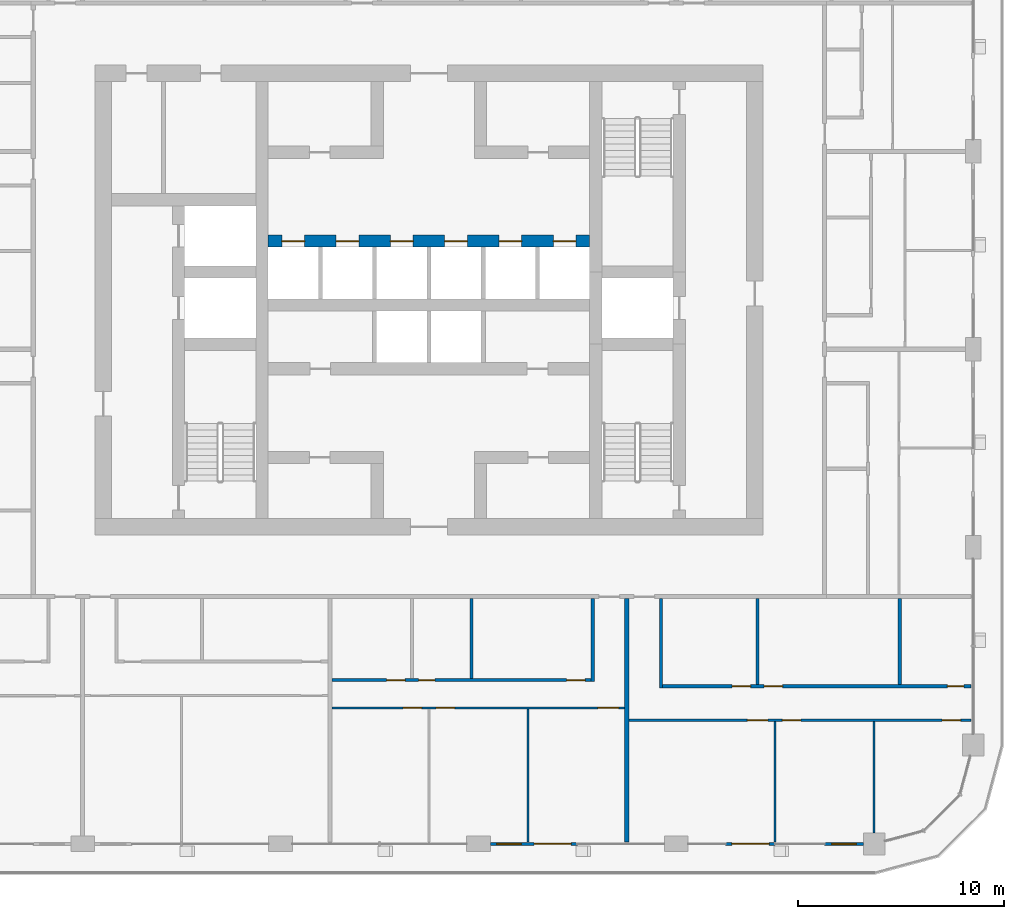
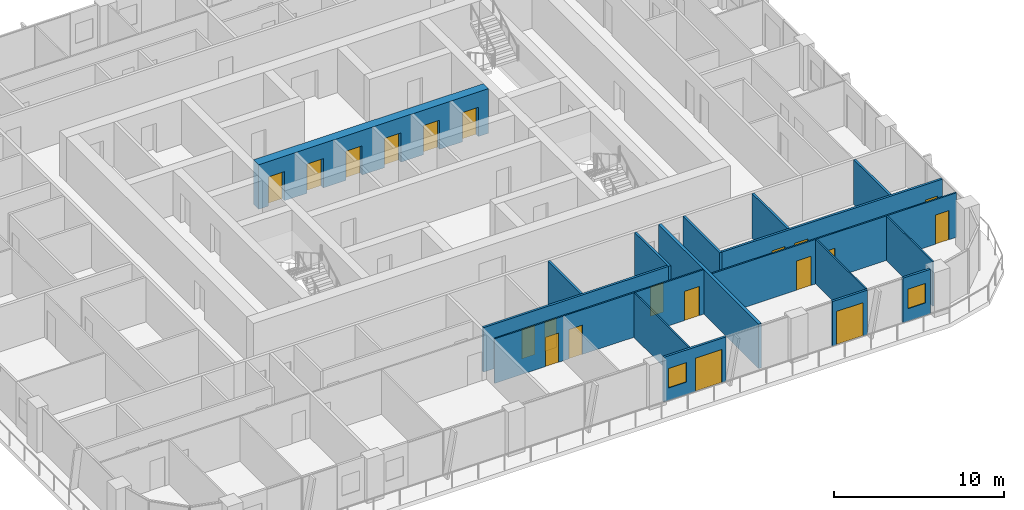
# One storey, part 11 of 22: 20 doors, 17 walls, 2 windows, 22 openings.
"""IFC4 building model written with IfcOpenShell, lengths in metres."""

from ifc_helpers import new_model, si_unit, direction, frame, frame_2d, origin, place, context, subcontext, project, spatial, rectangle, extrude, material, layer, layer_set, type_object, element, fill, save


model = new_model("IFC4")

# Units and contexts
model_context = context("Model", 3, precision=1e-05, world=origin(), true_north=direction((0.0, 1.0)))
body_context = subcontext(model_context, "Body", "Model", "MODEL_VIEW")
ifc_project = project(units=[si_unit("LENGTHUNIT", "METRE"), si_unit("AREAUNIT", "SQUARE_METRE"), si_unit("VOLUMEUNIT", "CUBIC_METRE"), si_unit("PLANEANGLEUNIT", "RADIAN"), si_unit("MASSUNIT", "GRAM", prefix="KILO")], contexts=[model_context])

# Site, building, storey
site_placement = place(None, origin())
site = spatial("IfcSite", under=ifc_project, at=site_placement, CompositionType="ELEMENT")
building_placement = place(site_placement, origin())
building = spatial("IfcBuilding", under=site, at=building_placement, Name="Madar Terraces", CompositionType="ELEMENT")
storey_placement = place(building_placement, frame((0.0, 0.0, 152.5)))
storey = spatial("IfcBuildingStorey", under=building, at=storey_placement, Name="L39", CompositionType="ELEMENT", Elevation=152.5)

# Wall, openings, doors
ifc_material_1 = material(Name="Concrete C70/85", Category="concrete")
ifc_layer_1 = layer(ifc_material_1, 0.60009765625)
ifc_layer_set_1 = layer_set([ifc_layer_1], Name="Concrete C70/85 (CIW3 RC wall 600)")
wall_type_1 = type_object("IfcWallType", Name="CIW3 RC wall 600", PredefinedType="SHEAR", material=ifc_layer_set_1)
wall_1_placement = place(storey_placement, frame((23.39990234375, 29.25, 0.0), z_axis=(0.0, 0.0, 1.0), x_axis=(1.0, 0.0, 0.0)))
wall_1 = element("IfcWall", 1, at=wall_1_placement, inside=storey, type_object=wall_type_1, Name="CORE SHAFT WALL", PredefinedType="SHEAR", context=body_context, shape_type="SweptSolid", body=[
    extrude(rectangle(XDim=15.60009765625, YDim=0.60009765625, at=frame_2d((7.800048828125, 0.0))), origin(), (0.0, 0.0, 1.0), 3.199951171875),
])
opening_1_placement = place(wall_1_placement, frame((0.666748046875, 0.0, 0.0)))
opening_1 = element("IfcOpeningElement", 2, at=opening_1_placement, cuts=wall_1, Name="Opening LD", PredefinedType="OPENING", context=body_context, shape_type="SweptSolid", body=[
    extrude(rectangle(XDim=1.10009765625, YDim=2.10009765625, at=frame_2d((0.550048828125, 1.050048828125))), frame((0.0, 0.31005859375, 0.0), z_axis=(0.0, -1.0, 0.0), x_axis=(1.0, 0.0, 0.0)), (0.0, 0.0, 1.0), 0.6201171875),
])
opening_2_placement = place(wall_1_placement, frame((3.300048828125, 0.0, 0.0)))
opening_2 = element("IfcOpeningElement", 3, at=opening_2_placement, cuts=wall_1, Name="Opening LD", PredefinedType="OPENING", context=body_context, shape_type="SweptSolid", body=[
    extrude(rectangle(XDim=1.10009765625, YDim=2.10009765625, at=frame_2d((0.550048828125, 1.050048828125))), frame((0.0, 0.31005859375, 0.0), z_axis=(0.0, -1.0, 0.0), x_axis=(1.0, 0.0, 0.0)), (0.0, 0.0, 1.0), 0.6201171875),
])
opening_3_placement = place(wall_1_placement, frame((5.933349609375, 0.0, 0.0)))
opening_3 = element("IfcOpeningElement", 4, at=opening_3_placement, cuts=wall_1, Name="Opening LD", PredefinedType="OPENING", context=body_context, shape_type="SweptSolid", body=[
    extrude(rectangle(XDim=1.10009765625, YDim=2.10009765625, at=frame_2d((0.550048828125, 1.050048828125))), frame((0.0, 0.31005859375, 0.0), z_axis=(0.0, -1.0, 0.0), x_axis=(1.0, 0.0, 0.0)), (0.0, 0.0, 1.0), 0.6201171875),
])
opening_4_placement = place(wall_1_placement, frame((8.566650390625, 0.0, 0.0)))
opening_4 = element("IfcOpeningElement", 5, at=opening_4_placement, cuts=wall_1, Name="Opening LD", PredefinedType="OPENING", context=body_context, shape_type="SweptSolid", body=[
    extrude(rectangle(XDim=1.10009765625, YDim=2.10009765625, at=frame_2d((0.550048828125, 1.050048828125))), frame((0.0, 0.31005859375, 0.0), z_axis=(0.0, -1.0, 0.0), x_axis=(1.0, 0.0, 0.0)), (0.0, 0.0, 1.0), 0.6201171875),
])
opening_5_placement = place(wall_1_placement, frame((11.199951171875, 0.0, 0.0)))
opening_5 = element("IfcOpeningElement", 6, at=opening_5_placement, cuts=wall_1, Name="Opening LD", PredefinedType="OPENING", context=body_context, shape_type="SweptSolid", body=[
    extrude(rectangle(XDim=1.10009765625, YDim=2.10009765625, at=frame_2d((0.550048828125, 1.050048828125))), frame((0.0, 0.31005859375, 0.0), z_axis=(0.0, -1.0, 0.0), x_axis=(1.0, 0.0, 0.0)), (0.0, 0.0, 1.0), 0.6201171875),
])
opening_6_placement = place(wall_1_placement, frame((13.833251953125, 0.0, 0.0)))
opening_6 = element("IfcOpeningElement", 7, at=opening_6_placement, cuts=wall_1, Name="Opening LD", PredefinedType="OPENING", context=body_context, shape_type="SweptSolid", body=[
    extrude(rectangle(XDim=1.10009765625, YDim=2.10009765625, at=frame_2d((0.550048828125, 1.050048828125))), frame((0.0, 0.31005859375, 0.0), z_axis=(0.0, -1.0, 0.0), x_axis=(1.0, 0.0, 0.0)), (0.0, 0.0, 1.0), 0.6201171875),
])
ifc_material_2 = material(Name="Stainless steel panel", Category="steel")
door_type_1 = type_object("IfcDoorType", Name="Lift landing door 1100 x 2100", OperationType="DOUBLE_DOOR_SLIDING", PredefinedType="DOOR", material=ifc_material_2)
door_1_placement = place(opening_1_placement, origin())
door_1 = element("IfcDoor", 8, at=door_1_placement, inside=storey, type_object=door_type_1, Name="LIFT LANDING DOOR", OperationType="DOUBLE_DOOR_SLIDING", OverallHeight=2.10009765625, OverallWidth=1.10009765625, PredefinedType="DOOR", context=body_context, shape_type="SweptSolid", body=[
    extrude(rectangle(XDim=1.10009765625, YDim=2.10009765625, at=frame_2d((0.550048828125, 1.050048828125))), frame((0.0, 0.02490234375, 0.0), z_axis=(0.0, -1.0, 0.0), x_axis=(1.0, 0.0, 0.0)), (0.0, 0.0, 1.0), 0.050048828125),
])
fill(opening_1, door_1)
door_2_placement = place(opening_2_placement, origin())
door_2 = element("IfcDoor", 9, at=door_2_placement, inside=storey, type_object=door_type_1, Name="LIFT LANDING DOOR", OperationType="DOUBLE_DOOR_SLIDING", OverallHeight=2.10009765625, OverallWidth=1.10009765625, PredefinedType="DOOR", context=body_context, shape_type="SweptSolid", body=[
    extrude(rectangle(XDim=1.10009765625, YDim=2.10009765625, at=frame_2d((0.550048828125, 1.050048828125))), frame((0.0, 0.02490234375, 0.0), z_axis=(0.0, -1.0, 0.0), x_axis=(1.0, 0.0, 0.0)), (0.0, 0.0, 1.0), 0.050048828125),
])
fill(opening_2, door_2)
door_3_placement = place(opening_3_placement, origin())
door_3 = element("IfcDoor", 10, at=door_3_placement, inside=storey, type_object=door_type_1, Name="LIFT LANDING DOOR", OperationType="DOUBLE_DOOR_SLIDING", OverallHeight=2.10009765625, OverallWidth=1.10009765625, PredefinedType="DOOR", context=body_context, shape_type="SweptSolid", body=[
    extrude(rectangle(XDim=1.10009765625, YDim=2.10009765625, at=frame_2d((0.550048828125, 1.050048828125))), frame((0.0, 0.02490234375, 0.0), z_axis=(0.0, -1.0, 0.0), x_axis=(1.0, 0.0, 0.0)), (0.0, 0.0, 1.0), 0.050048828125),
])
fill(opening_3, door_3)
door_4_placement = place(opening_4_placement, origin())
door_4 = element("IfcDoor", 11, at=door_4_placement, inside=storey, type_object=door_type_1, Name="LIFT LANDING DOOR", OperationType="DOUBLE_DOOR_SLIDING", OverallHeight=2.10009765625, OverallWidth=1.10009765625, PredefinedType="DOOR", context=body_context, shape_type="SweptSolid", body=[
    extrude(rectangle(XDim=1.10009765625, YDim=2.10009765625, at=frame_2d((0.550048828125, 1.050048828125))), frame((0.0, 0.02490234375, 0.0), z_axis=(0.0, -1.0, 0.0), x_axis=(1.0, 0.0, 0.0)), (0.0, 0.0, 1.0), 0.050048828125),
])
fill(opening_4, door_4)
door_5_placement = place(opening_5_placement, origin())
door_5 = element("IfcDoor", 12, at=door_5_placement, inside=storey, type_object=door_type_1, Name="LIFT LANDING DOOR", OperationType="DOUBLE_DOOR_SLIDING", OverallHeight=2.10009765625, OverallWidth=1.10009765625, PredefinedType="DOOR", context=body_context, shape_type="SweptSolid", body=[
    extrude(rectangle(XDim=1.10009765625, YDim=2.10009765625, at=frame_2d((0.550048828125, 1.050048828125))), frame((0.0, 0.02490234375, 0.0), z_axis=(0.0, -1.0, 0.0), x_axis=(1.0, 0.0, 0.0)), (0.0, 0.0, 1.0), 0.050048828125),
])
fill(opening_5, door_5)
door_6_placement = place(opening_6_placement, origin())
door_6 = element("IfcDoor", 13, at=door_6_placement, inside=storey, type_object=door_type_1, Name="LIFT LANDING DOOR", OperationType="DOUBLE_DOOR_SLIDING", OverallHeight=2.10009765625, OverallWidth=1.10009765625, PredefinedType="DOOR", context=body_context, shape_type="SweptSolid", body=[
    extrude(rectangle(XDim=1.10009765625, YDim=2.10009765625, at=frame_2d((0.550048828125, 1.050048828125))), frame((0.0, 0.02490234375, 0.0), z_axis=(0.0, -1.0, 0.0), x_axis=(1.0, 0.0, 0.0)), (0.0, 0.0, 1.0), 0.050048828125),
])
fill(opening_6, door_6)

# Wall, openings, door, window
ifc_material_3 = material(Name="Aluminium composite panel, black, over insulated backing", Category="aluminium")
ifc_layer_2 = layer(ifc_material_3, 0.14990234375)
ifc_layer_set_2 = layer_set([ifc_layer_2], Name="Facade bay panel 150")
wall_type_2 = type_object("IfcWallType", Name="Facade bay panel 150", PredefinedType="SOLIDWALL", material=ifc_layer_set_2)
wall_2_placement = place(storey_placement, frame((34.175048828125, 0.0, 0.0), z_axis=(0.0, 0.0, 1.0), x_axis=(1.0, 0.0, 0.0)))
wall_2 = element("IfcWall", 14, at=wall_2_placement, inside=storey, type_object=wall_type_2, Name="Facade bay panel", PredefinedType="SOLIDWALL", context=body_context, shape_type="SweptSolid", body=[
    extrude(rectangle(XDim=4.224853515625, YDim=0.14990234375, at=frame_2d((2.1123046875, 0.0))), origin(), (0.0, 0.0, 1.0), 3.199951171875),
])
opening_7_placement = place(wall_2_placement, frame((0.3125, 0.0, 0.89990234375)))
opening_7 = element("IfcOpeningElement", 15, at=opening_7_placement, cuts=wall_2, Name="Opening W1", PredefinedType="OPENING", context=body_context, shape_type="SweptSolid", body=[
    extrude(rectangle(XDim=1.199951171875, YDim=1.39990234375, at=frame_2d((0.60009765625, 0.699951171875))), frame((0.0, 0.0849609375, 0.0), z_axis=(0.0, -1.0, 0.0), x_axis=(1.0, 0.0, 0.0)), (0.0, 0.0, 1.0), 0.169921875),
])
opening_8_placement = place(wall_2_placement, frame((2.125, 0.0, 0.0)))
opening_8 = element("IfcOpeningElement", 16, at=opening_8_placement, cuts=wall_2, Name="Opening ED1", PredefinedType="OPENING", context=body_context, shape_type="SweptSolid", body=[
    extrude(rectangle(XDim=1.800048828125, YDim=2.39990234375, at=frame_2d((0.89990234375, 1.199951171875))), frame((0.0, 0.0849609375, 0.0), z_axis=(0.0, -1.0, 0.0), x_axis=(1.0, 0.0, 0.0)), (0.0, 0.0, 1.0), 0.169921875),
])
ifc_material_4 = material(Name="Glass, clear, with black aluminium frame", Category="aluminium")
door_type_2 = type_object("IfcDoorType", Name="Balcony and terrace sliding door 1800 x 2400", OperationType="SLIDING_TO_LEFT", PredefinedType="DOOR", material=ifc_material_4)
door_7_placement = place(opening_8_placement, origin())
door_7 = element("IfcDoor", 17, at=door_7_placement, inside=storey, type_object=door_type_2, Name="Balcony door", OperationType="SLIDING_TO_LEFT", OverallHeight=2.39990234375, OverallWidth=1.800048828125, PredefinedType="DOOR", context=body_context, shape_type="SweptSolid", body=[
    extrude(rectangle(XDim=1.800048828125, YDim=2.39990234375, at=frame_2d((0.89990234375, 1.199951171875))), frame((0.0, 0.02490234375, 0.0), z_axis=(0.0, -1.0, 0.0), x_axis=(1.0, 0.0, 0.0)), (0.0, 0.0, 1.0), 0.050048828125),
])
fill(opening_8, door_7)
ifc_material_5 = material(Name="Glass, clear, with black aluminium frame", Category="aluminium")
window_type = type_object("IfcWindowType", Name="Vent window 1200 x 1400", PartitioningType="SINGLE_PANEL", PredefinedType="WINDOW", material=ifc_material_5)
window_1_placement = place(opening_7_placement, origin())
window_1 = element("IfcWindow", 18, at=window_1_placement, inside=storey, type_object=window_type, Name="Operable vent window", OverallHeight=1.39990234375, OverallWidth=1.199951171875, PartitioningType="SINGLE_PANEL", PredefinedType="WINDOW", context=body_context, shape_type="SweptSolid", body=[
    extrude(rectangle(XDim=1.199951171875, YDim=1.39990234375, at=frame_2d((0.60009765625, 0.699951171875))), frame((0.0, 0.030029296875, 0.0), z_axis=(0.0, -1.0, 0.0), x_axis=(1.0, 0.0, 0.0)), (0.0, 0.0, 1.0), 0.06005859375),
])
fill(opening_7, window_1)

# Wall, opening, door
wall_3_placement = place(storey_placement, frame((45.60009765625, 0.0, 0.0), z_axis=(0.0, 0.0, 1.0), x_axis=(1.0, 0.0, 0.0)))
wall_3 = element("IfcWall", 19, at=wall_3_placement, inside=storey, type_object=wall_type_2, Name="Facade bay panel", PredefinedType="SOLIDWALL", context=body_context, shape_type="SweptSolid", body=[
    extrude(rectangle(XDim=2.39990234375, YDim=0.14990234375, at=frame_2d((1.199951171875, 0.0))), origin(), (0.0, 0.0, 1.0), 3.199951171875),
])
opening_9_placement = place(wall_3_placement, frame((0.300048828125, 0.0, 0.0)))
opening_9 = element("IfcOpeningElement", 20, at=opening_9_placement, cuts=wall_3, Name="Opening ED1", PredefinedType="OPENING", context=body_context, shape_type="SweptSolid", body=[
    extrude(rectangle(XDim=1.800048828125, YDim=2.39990234375, at=frame_2d((0.89990234375, 1.199951171875))), frame((0.0, 0.0849609375, 0.0), z_axis=(0.0, -1.0, 0.0), x_axis=(1.0, 0.0, 0.0)), (0.0, 0.0, 1.0), 0.169921875),
])
door_8_placement = place(opening_9_placement, origin())
door_8 = element("IfcDoor", 21, at=door_8_placement, inside=storey, type_object=door_type_2, Name="Balcony door", OperationType="SLIDING_TO_RIGHT", OverallHeight=2.39990234375, OverallWidth=1.800048828125, PredefinedType="DOOR", context=body_context, shape_type="SweptSolid", body=[
    extrude(rectangle(XDim=1.800048828125, YDim=2.39990234375, at=frame_2d((0.89990234375, 1.199951171875))), frame((0.0, 0.02490234375, 0.0), z_axis=(0.0, -1.0, 0.0), x_axis=(1.0, 0.0, 0.0)), (0.0, 0.0, 1.0), 0.050048828125),
])
fill(opening_9, door_8)

# Wall, opening, window
wall_4_placement = place(storey_placement, frame((50.39990234375, 0.0, 0.0), z_axis=(0.0, 0.0, 1.0), x_axis=(1.0, 0.0, 0.0)))
wall_4 = element("IfcWall", 22, at=wall_4_placement, inside=storey, type_object=wall_type_2, Name="Facade bay panel", PredefinedType="SOLIDWALL", context=body_context, shape_type="SweptSolid", body=[
    extrude(rectangle(XDim=1.875, YDim=0.14990234375, at=frame_2d((0.9375, 0.0))), origin(), (0.0, 0.0, 1.0), 3.199951171875),
])
opening_10_placement = place(wall_4_placement, frame((0.33740234375, 0.0, 0.89990234375)))
opening_10 = element("IfcOpeningElement", 23, at=opening_10_placement, cuts=wall_4, Name="Opening W1", PredefinedType="OPENING", context=body_context, shape_type="SweptSolid", body=[
    extrude(rectangle(XDim=1.199951171875, YDim=1.39990234375, at=frame_2d((0.60009765625, 0.699951171875))), frame((0.0, 0.0849609375, 0.0), z_axis=(0.0, -1.0, 0.0), x_axis=(1.0, 0.0, 0.0)), (0.0, 0.0, 1.0), 0.169921875),
])
window_2_placement = place(opening_10_placement, origin())
window_2 = element("IfcWindow", 24, at=window_2_placement, inside=storey, type_object=window_type, Name="Operable vent window", OverallHeight=1.39990234375, OverallWidth=1.199951171875, PartitioningType="SINGLE_PANEL", PredefinedType="WINDOW", context=body_context, shape_type="SweptSolid", body=[
    extrude(rectangle(XDim=1.199951171875, YDim=1.39990234375, at=frame_2d((0.60009765625, 0.699951171875))), frame((0.0, 0.030029296875, 0.0), z_axis=(0.0, -1.0, 0.0), x_axis=(1.0, 0.0, 0.0)), (0.0, 0.0, 1.0), 0.06005859375),
])
fill(opening_10, window_2)

# Wall
ifc_material_6 = material(Name="Gypsum board on steel studs", Category="steel")
ifc_layer_3 = layer(ifc_material_6, 0.10009765625)
ifc_layer_set_3 = layer_set([ifc_layer_3], Name="Flat partition 100")
wall_type_3 = type_object("IfcWallType", Name="Flat partition 100", PredefinedType="PARTITIONING", material=ifc_layer_set_3)
wall_5_placement = place(storey_placement, frame((36.0, 6.550048828125, 0.0), z_axis=(0.0, 0.0, 1.0), x_axis=(0.0, -1.0, 0.0)))
element("IfcWall", 25, at=wall_5_placement, inside=storey, type_object=wall_type_3, Name="Flat partition 100", PredefinedType="PARTITIONING", context=body_context, shape_type="SweptSolid", body=[
    extrude(rectangle(XDim=6.449951171875, YDim=0.10009765625, at=frame_2d((3.22509765625, 0.0))), origin(), (0.0, 0.0, 1.0), 3.199951171875),
])

# Wall, openings, doors
wall_6_placement = place(storey_placement, frame((40.699951171875, 6.60009765625, 0.0), z_axis=(0.0, 0.0, 1.0), x_axis=(-1.0, 0.0, 0.0)))
wall_6 = element("IfcWall", 26, at=wall_6_placement, inside=storey, type_object=wall_type_3, Name="Flat partition 100", PredefinedType="PARTITIONING", context=body_context, shape_type="SweptSolid", body=[
    extrude(rectangle(XDim=14.199951171875, YDim=0.10009765625, at=frame_2d((7.10009765625, 0.0))), origin(), (0.0, 0.0, 1.0), 3.199951171875),
])
opening_11_placement = place(wall_6_placement, frame((0.300048828125, 0.0, 0.0)))
opening_11 = element("IfcOpeningElement", 27, at=opening_11_placement, cuts=wall_6, Name="Opening D3", PredefinedType="OPENING", context=body_context, shape_type="SweptSolid", body=[
    extrude(rectangle(XDim=1.0, YDim=2.10009765625, at=frame_2d((0.5, 1.050048828125))), frame((0.0, 0.06005859375, 0.0), z_axis=(0.0, -1.0, 0.0), x_axis=(1.0, 0.0, 0.0)), (0.0, 0.0, 1.0), 0.1201171875),
])
opening_12_placement = place(wall_6_placement, frame((8.25, 0.0, 0.0)))
opening_12 = element("IfcOpeningElement", 28, at=opening_12_placement, cuts=wall_6, Name="Opening D2", PredefinedType="OPENING", context=body_context, shape_type="SweptSolid", body=[
    extrude(rectangle(XDim=0.89990234375, YDim=2.10009765625, at=frame_2d((0.449951171875, 1.050048828125))), frame((0.0, 0.06005859375, 0.0), z_axis=(0.0, -1.0, 0.0), x_axis=(1.0, 0.0, 0.0)), (0.0, 0.0, 1.0), 0.1201171875),
])
opening_13_placement = place(wall_6_placement, frame((9.85009765625, 0.0, 0.0)))
opening_13 = element("IfcOpeningElement", 29, at=opening_13_placement, cuts=wall_6, Name="Opening D2", PredefinedType="OPENING", context=body_context, shape_type="SweptSolid", body=[
    extrude(rectangle(XDim=0.89990234375, YDim=2.10009765625, at=frame_2d((0.449951171875, 1.050048828125))), frame((0.0, 0.06005859375, 0.0), z_axis=(0.0, -1.0, 0.0), x_axis=(1.0, 0.0, 0.0)), (0.0, 0.0, 1.0), 0.1201171875),
])
ifc_material_7 = material(Name="Timber door leaf", Category="wood")
door_type_3 = type_object("IfcDoorType", Name="Flat living room door 1000", OperationType="NOTDEFINED", PredefinedType="DOOR", material=ifc_material_7)
door_9_placement = place(opening_11_placement, origin())
door_9 = element("IfcDoor", 30, at=door_9_placement, inside=storey, type_object=door_type_3, Name="Flat living room door 1000", OperationType="SINGLE_SWING_LEFT", OverallHeight=2.10009765625, OverallWidth=1.0, PredefinedType="DOOR", context=body_context, shape_type="SweptSolid", body=[
    extrude(rectangle(XDim=1.0, YDim=2.10009765625, at=frame_2d((0.5, 1.050048828125))), frame((0.0, 0.02490234375, 0.0), z_axis=(0.0, -1.0, 0.0), x_axis=(1.0, 0.0, 0.0)), (0.0, 0.0, 1.0), 0.050048828125),
])
fill(opening_11, door_9)
ifc_material_8 = material(Name="Timber door leaf", Category="wood")
door_type_4 = type_object("IfcDoorType", Name="Flat room door 900", OperationType="NOTDEFINED", PredefinedType="DOOR", material=ifc_material_8)
door_10_placement = place(opening_12_placement, origin())
door_10 = element("IfcDoor", 31, at=door_10_placement, inside=storey, type_object=door_type_4, Name="Flat room door 900", OperationType="SINGLE_SWING_RIGHT", OverallHeight=2.10009765625, OverallWidth=0.89990234375, PredefinedType="DOOR", context=body_context, shape_type="SweptSolid", body=[
    extrude(rectangle(XDim=0.89990234375, YDim=2.10009765625, at=frame_2d((0.449951171875, 1.050048828125))), frame((0.0, 0.02490234375, 0.0), z_axis=(0.0, -1.0, 0.0), x_axis=(1.0, 0.0, 0.0)), (0.0, 0.0, 1.0), 0.050048828125),
])
fill(opening_12, door_10)
door_11_placement = place(opening_13_placement, origin())
door_11 = element("IfcDoor", 32, at=door_11_placement, inside=storey, type_object=door_type_4, Name="Flat room door 900", OperationType="SINGLE_SWING_LEFT", OverallHeight=2.10009765625, OverallWidth=0.89990234375, PredefinedType="DOOR", context=body_context, shape_type="SweptSolid", body=[
    extrude(rectangle(XDim=0.89990234375, YDim=2.10009765625, at=frame_2d((0.449951171875, 1.050048828125))), frame((0.0, 0.02490234375, 0.0), z_axis=(0.0, -1.0, 0.0), x_axis=(1.0, 0.0, 0.0)), (0.0, 0.0, 1.0), 0.050048828125),
])
fill(opening_13, door_11)

# Walls
wall_7_placement = place(storey_placement, frame((48.0, 5.949951171875, 0.0), z_axis=(0.0, 0.0, 1.0), x_axis=(0.0, -1.0, 0.0)))
element("IfcWall", 33, at=wall_7_placement, inside=storey, type_object=wall_type_3, Name="Flat partition 100", PredefinedType="PARTITIONING", context=body_context, shape_type="SweptSolid", body=[
    extrude(rectangle(XDim=5.849853515625, YDim=0.10009765625, at=frame_2d((2.9248046875, 0.0))), origin(), (0.0, 0.0, 1.0), 3.199951171875),
])
wall_8_placement = place(storey_placement, frame((52.800048828125, 5.949951171875, 0.0), z_axis=(0.0, 0.0, 1.0), x_axis=(0.0, -1.0, 0.0)))
element("IfcWall", 34, at=wall_8_placement, inside=storey, type_object=wall_type_3, Name="Flat partition 100", PredefinedType="PARTITIONING", context=body_context, shape_type="SweptSolid", body=[
    extrude(rectangle(XDim=5.425048828125, YDim=0.10009765625, at=frame_2d((2.71240234375, 0.0))), origin(), (0.0, 0.0, 1.0), 3.199951171875),
])

# Wall, openings, doors
wall_9_placement = place(storey_placement, frame((57.5, 6.0, 0.0), z_axis=(0.0, 0.0, 1.0), x_axis=(-1.0, 0.0, 0.0)))
wall_9 = element("IfcWall", 35, at=wall_9_placement, inside=storey, type_object=wall_type_3, Name="Flat partition 100", PredefinedType="PARTITIONING", context=body_context, shape_type="SweptSolid", body=[
    extrude(rectangle(XDim=16.60009765625, YDim=0.10009765625, at=frame_2d((8.300048828125, 0.0))), origin(), (0.0, 0.0, 1.0), 3.199951171875),
])
opening_14_placement = place(wall_9_placement, frame((9.85009765625, 0.0, 0.0)))
opening_14 = element("IfcOpeningElement", 36, at=opening_14_placement, cuts=wall_9, Name="Opening D3", PredefinedType="OPENING", context=body_context, shape_type="SweptSolid", body=[
    extrude(rectangle(XDim=1.0, YDim=2.10009765625, at=frame_2d((0.5, 1.050048828125))), frame((0.0, 0.06005859375, 0.0), z_axis=(0.0, -1.0, 0.0), x_axis=(1.0, 0.0, 0.0)), (0.0, 0.0, 1.0), 0.1201171875),
])
opening_15_placement = place(wall_9_placement, frame((8.25, 0.0, 0.0)))
opening_15 = element("IfcOpeningElement", 37, at=opening_15_placement, cuts=wall_9, Name="Opening D2", PredefinedType="OPENING", context=body_context, shape_type="SweptSolid", body=[
    extrude(rectangle(XDim=0.89990234375, YDim=2.10009765625, at=frame_2d((0.449951171875, 1.050048828125))), frame((0.0, 0.06005859375, 0.0), z_axis=(0.0, -1.0, 0.0), x_axis=(1.0, 0.0, 0.0)), (0.0, 0.0, 1.0), 0.1201171875),
])
opening_16_placement = place(wall_9_placement, frame((0.5, 0.0, 0.0)))
opening_16 = element("IfcOpeningElement", 38, at=opening_16_placement, cuts=wall_9, Name="Opening D2", PredefinedType="OPENING", context=body_context, shape_type="SweptSolid", body=[
    extrude(rectangle(XDim=0.89990234375, YDim=2.10009765625, at=frame_2d((0.449951171875, 1.050048828125))), frame((0.0, 0.06005859375, 0.0), z_axis=(0.0, -1.0, 0.0), x_axis=(1.0, 0.0, 0.0)), (0.0, 0.0, 1.0), 0.1201171875),
])
door_12_placement = place(opening_14_placement, origin())
door_12 = element("IfcDoor", 39, at=door_12_placement, inside=storey, type_object=door_type_3, Name="Flat living room door 1000", OperationType="SINGLE_SWING_LEFT", OverallHeight=2.10009765625, OverallWidth=1.0, PredefinedType="DOOR", context=body_context, shape_type="SweptSolid", body=[
    extrude(rectangle(XDim=1.0, YDim=2.10009765625, at=frame_2d((0.5, 1.050048828125))), frame((0.0, 0.02490234375, 0.0), z_axis=(0.0, -1.0, 0.0), x_axis=(1.0, 0.0, 0.0)), (0.0, 0.0, 1.0), 0.050048828125),
])
fill(opening_14, door_12)
door_13_placement = place(opening_15_placement, origin())
door_13 = element("IfcDoor", 40, at=door_13_placement, inside=storey, type_object=door_type_4, Name="Flat room door 900", OperationType="SINGLE_SWING_RIGHT", OverallHeight=2.10009765625, OverallWidth=0.89990234375, PredefinedType="DOOR", context=body_context, shape_type="SweptSolid", body=[
    extrude(rectangle(XDim=0.89990234375, YDim=2.10009765625, at=frame_2d((0.449951171875, 1.050048828125))), frame((0.0, 0.02490234375, 0.0), z_axis=(0.0, -1.0, 0.0), x_axis=(1.0, 0.0, 0.0)), (0.0, 0.0, 1.0), 0.050048828125),
])
fill(opening_15, door_13)
door_14_placement = place(opening_16_placement, origin())
door_14 = element("IfcDoor", 41, at=door_14_placement, inside=storey, type_object=door_type_4, Name="Flat room door 900", OperationType="SINGLE_SWING_LEFT", OverallHeight=2.10009765625, OverallWidth=0.89990234375, PredefinedType="DOOR", context=body_context, shape_type="SweptSolid", body=[
    extrude(rectangle(XDim=0.89990234375, YDim=2.10009765625, at=frame_2d((0.449951171875, 1.050048828125))), frame((0.0, 0.02490234375, 0.0), z_axis=(0.0, -1.0, 0.0), x_axis=(1.0, 0.0, 0.0)), (0.0, 0.0, 1.0), 0.050048828125),
])
fill(opening_16, door_14)

# Walls
ifc_material_9 = material(Name="Lightweight blockwork", Category="masonry")
ifc_layer_4 = layer(ifc_material_9, 0.199951171875)
ifc_layer_set_4 = layer_set([ifc_layer_4], Name="Flat party and entrance wall 200")
wall_type_4 = type_object("IfcWallType", Name="Flat party and entrance wall 200", PredefinedType="PARTITIONING", material=ifc_layer_set_4)
wall_10_placement = place(storey_placement, frame((40.800048828125, 11.89990234375, 0.0), z_axis=(0.0, 0.0, 1.0), x_axis=(0.0, -1.0, 0.0)))
element("IfcWall", 42, at=wall_10_placement, inside=storey, type_object=wall_type_4, Name="Flat party and entrance wall 200", PredefinedType="PARTITIONING", context=body_context, shape_type="SweptSolid", body=[
    extrude(rectangle(XDim=11.7998046875, YDim=0.199951171875, at=frame_2d((5.89990234375, 0.0))), origin(), (0.0, 0.0, 1.0), 3.199951171875),
])
ifc_material_10 = material(Name="Lightweight blockwork", Category="masonry")
ifc_layer_5 = layer(ifc_material_10, 0.14990234375)
ifc_layer_set_5 = layer_set([ifc_layer_5], Name="Flat wet-room partition 150")
wall_type_5 = type_object("IfcWallType", Name="Flat wet-room partition 150", PredefinedType="PARTITIONING", material=ifc_layer_set_5)
wall_11_placement = place(storey_placement, frame((33.271240234375, 11.89990234375, 0.0), z_axis=(0.0, 0.0, 1.0), x_axis=(0.0, -1.0, 0.0)))
element("IfcWall", 43, at=wall_11_placement, inside=storey, type_object=wall_type_5, Name="Flat wet-room partition 150", PredefinedType="PARTITIONING", context=body_context, shape_type="SweptSolid", body=[
    extrude(rectangle(XDim=3.875, YDim=0.14990234375, at=frame_2d((1.9375, 0.0))), origin(), (0.0, 0.0, 1.0), 3.199951171875),
])
wall_12_placement = place(storey_placement, frame((39.14990234375, 11.89990234375, 0.0), z_axis=(0.0, 0.0, 1.0), x_axis=(0.0, -1.0, 0.0)))
element("IfcWall", 44, at=wall_12_placement, inside=storey, type_object=wall_type_5, Name="Flat wet-room partition 150", PredefinedType="PARTITIONING", context=body_context, shape_type="SweptSolid", body=[
    extrude(rectangle(XDim=4.02490234375, YDim=0.14990234375, at=frame_2d((2.012451171875, 0.0))), origin(), (0.0, 0.0, 1.0), 3.199951171875),
])

# Wall, openings, doors
wall_13_placement = place(storey_placement, frame((26.5, 7.949951171875, 0.0), z_axis=(0.0, 0.0, 1.0), x_axis=(1.0, 0.0, 0.0)))
wall_13 = element("IfcWall", 45, at=wall_13_placement, inside=storey, type_object=wall_type_5, Name="Flat wet-room partition 150", PredefinedType="PARTITIONING", context=body_context, shape_type="SweptSolid", body=[
    extrude(rectangle(XDim=12.574951171875, YDim=0.14990234375, at=frame_2d((6.28759765625, 0.0))), origin(), (0.0, 0.0, 1.0), 3.199951171875),
])
opening_17_placement = place(wall_13_placement, frame((11.375, 0.0, 0.0)))
opening_17 = element("IfcOpeningElement", 46, at=opening_17_placement, cuts=wall_13, Name="Opening D2", PredefinedType="OPENING", context=body_context, shape_type="SweptSolid", body=[
    extrude(rectangle(XDim=0.89990234375, YDim=2.10009765625, at=frame_2d((0.449951171875, 1.050048828125))), frame((0.0, 0.0849609375, 0.0), z_axis=(0.0, -1.0, 0.0), x_axis=(1.0, 0.0, 0.0)), (0.0, 0.0, 1.0), 0.169921875),
])
opening_18_placement = place(wall_13_placement, frame((4.1943359375, 0.0, 0.0)))
opening_18 = element("IfcOpeningElement", 47, at=opening_18_placement, cuts=wall_13, Name="Opening D4", PredefinedType="OPENING", context=body_context, shape_type="SweptSolid", body=[
    extrude(rectangle(XDim=0.800048828125, YDim=2.10009765625, at=frame_2d((0.39990234375, 1.050048828125))), frame((0.0, 0.0849609375, 0.0), z_axis=(0.0, -1.0, 0.0), x_axis=(1.0, 0.0, 0.0)), (0.0, 0.0, 1.0), 0.169921875),
])
opening_19_placement = place(wall_13_placement, frame((2.644287109375, 0.0, 0.0)))
opening_19 = element("IfcOpeningElement", 48, at=opening_19_placement, cuts=wall_13, Name="Opening D5", PredefinedType="OPENING", context=body_context, shape_type="SweptSolid", body=[
    extrude(rectangle(XDim=0.89990234375, YDim=2.10009765625, at=frame_2d((0.449951171875, 1.050048828125))), frame((0.0, 0.0849609375, 0.0), z_axis=(0.0, -1.0, 0.0), x_axis=(1.0, 0.0, 0.0)), (0.0, 0.0, 1.0), 0.169921875),
])
ifc_material_11 = material(Name="Timber door leaf", Category="wood")
door_type_5 = type_object("IfcDoorType", Name="Flat accessible bathroom door 900", OperationType="NOTDEFINED", PredefinedType="DOOR", material=ifc_material_11)
door_15_placement = place(opening_19_placement, origin())
door_15 = element("IfcDoor", 49, at=door_15_placement, inside=storey, type_object=door_type_5, Name="Flat accessible bathroom door 900", OperationType="SINGLE_SWING_RIGHT", OverallHeight=2.10009765625, OverallWidth=0.89990234375, PredefinedType="DOOR", context=body_context, shape_type="SweptSolid", body=[
    extrude(rectangle(XDim=0.89990234375, YDim=2.10009765625, at=frame_2d((0.449951171875, 1.050048828125))), frame((0.0, 0.02490234375, 0.0), z_axis=(0.0, -1.0, 0.0), x_axis=(1.0, 0.0, 0.0)), (0.0, 0.0, 1.0), 0.050048828125),
])
fill(opening_19, door_15)
ifc_material_12 = material(Name="Timber door leaf", Category="wood")
door_type_6 = type_object("IfcDoorType", Name="Flat bathroom door 800", OperationType="NOTDEFINED", PredefinedType="DOOR", material=ifc_material_12)
door_16_placement = place(opening_18_placement, origin())
door_16 = element("IfcDoor", 50, at=door_16_placement, inside=storey, type_object=door_type_6, Name="Flat bathroom door 800", OperationType="SINGLE_SWING_LEFT", OverallHeight=2.10009765625, OverallWidth=0.800048828125, PredefinedType="DOOR", context=body_context, shape_type="SweptSolid", body=[
    extrude(rectangle(XDim=0.800048828125, YDim=2.10009765625, at=frame_2d((0.39990234375, 1.050048828125))), frame((0.0, 0.02490234375, 0.0), z_axis=(0.0, -1.0, 0.0), x_axis=(1.0, 0.0, 0.0)), (0.0, 0.0, 1.0), 0.050048828125),
])
fill(opening_18, door_16)
door_17_placement = place(opening_17_placement, origin())
door_17 = element("IfcDoor", 51, at=door_17_placement, inside=storey, type_object=door_type_4, Name="Flat room door 900", OperationType="SINGLE_SWING_RIGHT", OverallHeight=2.10009765625, OverallWidth=0.89990234375, PredefinedType="DOOR", context=body_context, shape_type="SweptSolid", body=[
    extrude(rectangle(XDim=0.89990234375, YDim=2.10009765625, at=frame_2d((0.449951171875, 1.050048828125))), frame((0.0, 0.02490234375, 0.0), z_axis=(0.0, -1.0, 0.0), x_axis=(1.0, 0.0, 0.0)), (0.0, 0.0, 1.0), 0.050048828125),
])
fill(opening_17, door_17)

# Walls
for number, where, z_axis, x_axis, name in (
    (52, (47.1328125, 11.89990234375, 0.0), (0.0, 0.0, 1.0), (0.0, -1.0, 0.0), "Flat wet-room partition 150"),
    (53, (54.044189453125, 11.89990234375, 0.0), (0.0, 0.0, 1.0), (0.0, -1.0, 0.0), "Flat wet-room partition 150"),
):
    element("IfcWall", number, at=place(storey_placement, frame(where, z_axis=z_axis, x_axis=x_axis)), inside=storey, type_object=wall_type_5, Name=name, PredefinedType="PARTITIONING", context=body_context, shape_type="SweptSolid", body=[
        extrude(rectangle(XDim=4.1748046875, YDim=0.14990234375, at=frame_2d((2.08740234375, 0.0))), origin(), (0.0, 0.0, 1.0), 3.199951171875),
    ])
wall_14_placement = place(storey_placement, frame((42.449951171875, 11.89990234375, 0.0), z_axis=(0.0, 0.0, 1.0), x_axis=(0.0, -1.0, 0.0)))
element("IfcWall", 54, at=wall_14_placement, inside=storey, type_object=wall_type_5, Name="Flat wet-room partition 150", PredefinedType="PARTITIONING", context=body_context, shape_type="SweptSolid", body=[
    extrude(rectangle(XDim=4.324951171875, YDim=0.14990234375, at=frame_2d((2.16259765625, 0.0))), origin(), (0.0, 0.0, 1.0), 3.199951171875),
])

# Wall, openings, doors
wall_15_placement = place(storey_placement, frame((42.52490234375, 7.64990234375, 0.0), z_axis=(0.0, 0.0, 1.0), x_axis=(1.0, 0.0, 0.0)))
wall_15 = element("IfcWall", 55, at=wall_15_placement, inside=storey, type_object=wall_type_5, Name="Flat wet-room partition 150", PredefinedType="PARTITIONING", context=body_context, shape_type="SweptSolid", body=[
    extrude(rectangle(XDim=14.97509765625, YDim=0.14990234375, at=frame_2d((7.487548828125, 0.0))), origin(), (0.0, 0.0, 1.0), 3.199951171875),
])
opening_20_placement = place(wall_15_placement, frame((3.3828125, 0.0, 0.0)))
opening_20 = element("IfcOpeningElement", 56, at=opening_20_placement, cuts=wall_15, Name="Opening D5", PredefinedType="OPENING", context=body_context, shape_type="SweptSolid", body=[
    extrude(rectangle(XDim=0.89990234375, YDim=2.10009765625, at=frame_2d((0.449951171875, 1.050048828125))), frame((0.0, 0.0849609375, 0.0), z_axis=(0.0, -1.0, 0.0), x_axis=(1.0, 0.0, 0.0)), (0.0, 0.0, 1.0), 0.169921875),
])
opening_21_placement = place(wall_15_placement, frame((4.9326171875, 0.0, 0.0)))
opening_21 = element("IfcOpeningElement", 57, at=opening_21_placement, cuts=wall_15, Name="Opening D2", PredefinedType="OPENING", context=body_context, shape_type="SweptSolid", body=[
    extrude(rectangle(XDim=0.89990234375, YDim=2.10009765625, at=frame_2d((0.449951171875, 1.050048828125))), frame((0.0, 0.0849609375, 0.0), z_axis=(0.0, -1.0, 0.0), x_axis=(1.0, 0.0, 0.0)), (0.0, 0.0, 1.0), 0.169921875),
])
opening_22_placement = place(wall_15_placement, frame((13.824951171875, 0.0, 0.0)))
opening_22 = element("IfcOpeningElement", 58, at=opening_22_placement, cuts=wall_15, Name="Opening D4", PredefinedType="OPENING", context=body_context, shape_type="SweptSolid", body=[
    extrude(rectangle(XDim=0.800048828125, YDim=2.10009765625, at=frame_2d((0.39990234375, 1.050048828125))), frame((0.0, 0.0849609375, 0.0), z_axis=(0.0, -1.0, 0.0), x_axis=(1.0, 0.0, 0.0)), (0.0, 0.0, 1.0), 0.169921875),
])
door_18_placement = place(opening_20_placement, origin())
door_18 = element("IfcDoor", 59, at=door_18_placement, inside=storey, type_object=door_type_5, Name="Flat accessible bathroom door 900", OperationType="SINGLE_SWING_RIGHT", OverallHeight=2.10009765625, OverallWidth=0.89990234375, PredefinedType="DOOR", context=body_context, shape_type="SweptSolid", body=[
    extrude(rectangle(XDim=0.89990234375, YDim=2.10009765625, at=frame_2d((0.449951171875, 1.050048828125))), frame((0.0, 0.02490234375, 0.0), z_axis=(0.0, -1.0, 0.0), x_axis=(1.0, 0.0, 0.0)), (0.0, 0.0, 1.0), 0.050048828125),
])
fill(opening_20, door_18)
door_19_placement = place(opening_22_placement, origin())
door_19 = element("IfcDoor", 60, at=door_19_placement, inside=storey, type_object=door_type_6, Name="Flat bathroom door 800", OperationType="SINGLE_SWING_RIGHT", OverallHeight=2.10009765625, OverallWidth=0.800048828125, PredefinedType="DOOR", context=body_context, shape_type="SweptSolid", body=[
    extrude(rectangle(XDim=0.800048828125, YDim=2.10009765625, at=frame_2d((0.39990234375, 1.050048828125))), frame((0.0, 0.02490234375, 0.0), z_axis=(0.0, -1.0, 0.0), x_axis=(1.0, 0.0, 0.0)), (0.0, 0.0, 1.0), 0.050048828125),
])
fill(opening_22, door_19)
door_20_placement = place(opening_21_placement, origin())
door_20 = element("IfcDoor", 61, at=door_20_placement, inside=storey, type_object=door_type_4, Name="Flat room door 900", OperationType="SINGLE_SWING_LEFT", OverallHeight=2.10009765625, OverallWidth=0.89990234375, PredefinedType="DOOR", context=body_context, shape_type="SweptSolid", body=[
    extrude(rectangle(XDim=0.89990234375, YDim=2.10009765625, at=frame_2d((0.449951171875, 1.050048828125))), frame((0.0, 0.02490234375, 0.0), z_axis=(0.0, -1.0, 0.0), x_axis=(1.0, 0.0, 0.0)), (0.0, 0.0, 1.0), 0.050048828125),
])
fill(opening_21, door_20)

save(model, "model.ifc")
